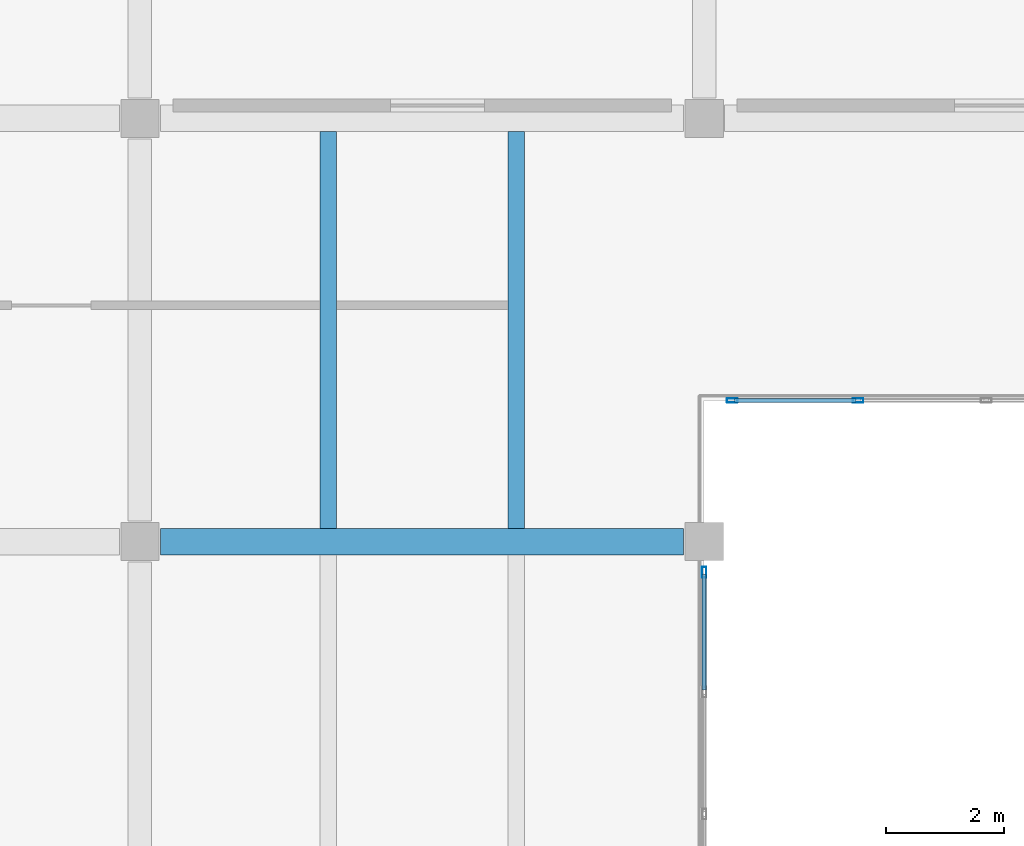
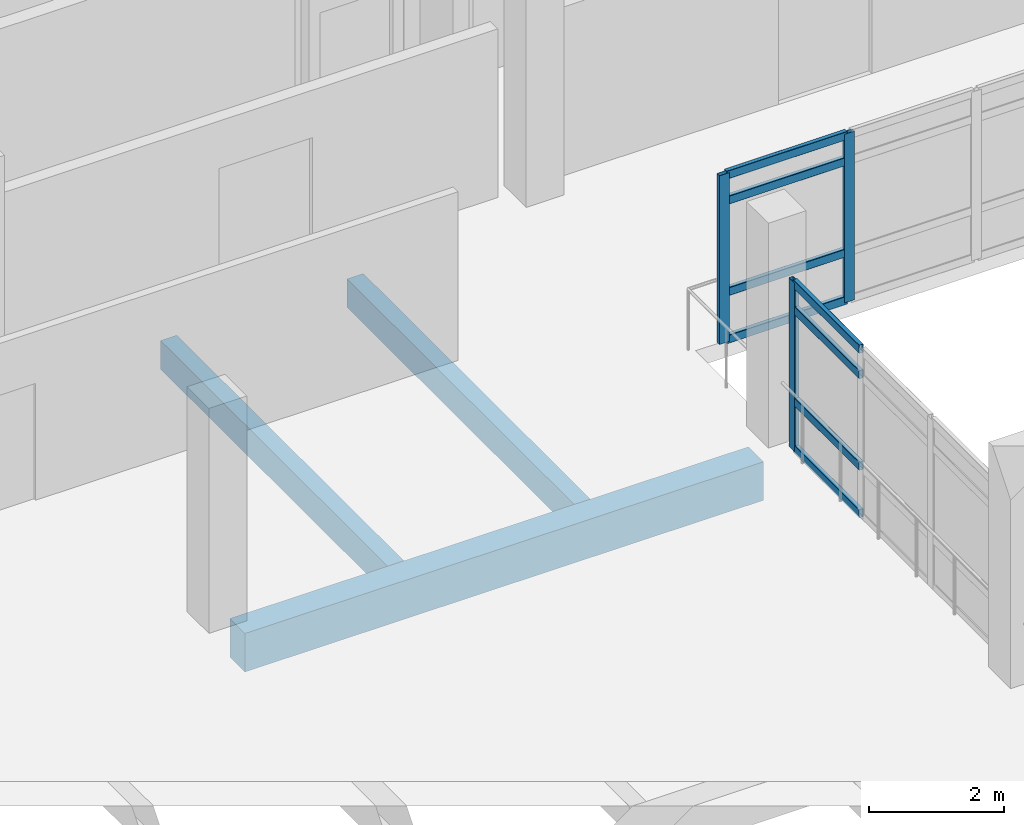
# One storey, part 31 of 134: 11 members, 3 beams, 2 elements without a shape of their own.
"""IFC4 building model written with IfcOpenShell, lengths in metres."""

from ifc_helpers import new_model, si_unit, direction, frame, origin, origin_2d, place, context, subcontext, project, spatial, rectangle, hollow_rectangle, extrude, material, layer, layer_set, material_profile, profile_set, type_object, element, aggregate, save


model = new_model("IFC4")

# Units and contexts
model_context = context("Model", 3, precision=1e-05, world=origin(), true_north=direction((0.0, 1.0)))
body_context = subcontext(model_context, "Body", "Model", "MODEL_VIEW")
ifc_project = project(units=[si_unit("LENGTHUNIT", "METRE"), si_unit("AREAUNIT", "SQUARE_METRE"), si_unit("VOLUMEUNIT", "CUBIC_METRE"), si_unit("PLANEANGLEUNIT", "RADIAN"), si_unit("MASSUNIT", "GRAM", prefix="KILO")], contexts=[model_context])

# Site, building, storey
site_placement = place(None, origin())
site = spatial("IfcSite", under=ifc_project, at=site_placement, CompositionType="ELEMENT")
building_placement = place(site_placement, origin())
building = spatial("IfcBuilding", under=site, at=building_placement, Name="Asteropetra Specialist Clinic", CompositionType="ELEMENT")
storey_placement = place(building_placement, frame((0.0, 0.0, 8.5)))
storey = spatial("IfcBuildingStorey", under=building, at=storey_placement, Name="L02", CompositionType="ELEMENT", Elevation=8.5)

# Beam
ifc_material_1 = material(Name="Concrete C35/45", Category="concrete")
ifc_material_profile_1 = material_profile(ifc_material_1, rectangle(XDim=0.449951171875, YDim=0.699951171875, at=origin_2d()), Name="RCB 450x700")
ifc_profile_set_1 = profile_set([ifc_material_profile_1], Name="Concrete C35/45")
beam_type_1 = type_object("IfcBeamType", Name="BM-RC450x700", PredefinedType="BEAM", material=ifc_profile_set_1)
beam_placement = place(storey_placement, frame((115.550048828125, 33.60009765625, -0.64990234375), z_axis=(1.0, 0.0, 0.0), x_axis=(0.0, 1.0, 0.0)))
element("IfcBeam", 1, at=beam_placement, inside=storey, type_object=beam_type_1, Name="Beam BBM05-1141", PredefinedType="BEAM", context=body_context, shape_type="SweptSolid", body=[
    extrude(rectangle(XDim=0.449951171875, YDim=0.699951171875, at=origin_2d()), origin(), (0.0, 0.0, 1.0), 8.89990234375),
])

# Curtain wall, members
ifc_material_2 = material(Name="Aluminium and low-E glass", Category="aluminium")
ifc_layer_1 = layer(ifc_material_2, 0.135009765625)
ifc_layer_set_1 = layer_set([ifc_layer_1], Name="Aluminium and low-E glass")
curtain_wall_type_1 = type_object("IfcCurtainWallType", Name="CW-SYS-09", PredefinedType="USERDEFINED", material=ifc_layer_set_1)
curtain_wall_1_placement = place(storey_placement, origin())
curtain_wall_1 = element("IfcCurtainWall", 2, at=curtain_wall_1_placement, inside=storey, type_object=curtain_wall_type_1, Name="Curtain Wall CW-078", ObjectType="STICK GLAZED COLONNADE", PredefinedType="USERDEFINED")
ifc_material_3 = material(Name="Aluminium 6063-T6", Category="aluminium")
ifc_material_profile_2 = material_profile(ifc_material_3, hollow_rectangle(XDim=0.074951171875, YDim=0.179931640625, WallThickness=0.00390625, InnerFilletRadius=0.00390625, OuterFilletRadius=0.008056640625, at=origin_2d()), Name="MUL 180x75x4.0")
ifc_profile_set_2 = profile_set([ifc_material_profile_2], Name="Aluminium 6063-T6")
member_type_1 = type_object("IfcMemberType", Name="CWM-180x75", PredefinedType="MULLION", material=ifc_profile_set_2)
member_1_placement = place(storey_placement, frame((127.419921875, 36.0, 0.0), z_axis=(0.0, 0.0, 1.0), x_axis=(0.0, -1.0, 0.0)))
member_1 = element("IfcMember", 3, at=member_1_placement, type_object=member_type_1, Name="CW-078 mullion 4", PredefinedType="MULLION", context=body_context, shape_type="SweptSolid", body=[
    extrude(hollow_rectangle(XDim=0.074951171875, YDim=0.179931640625, WallThickness=0.00390625, InnerFilletRadius=0.00390625, OuterFilletRadius=0.008056640625, at=origin_2d()), origin(), (0.0, 0.0, 1.0), 3.06005859375),
])
member_2_placement = place(storey_placement, frame((125.277587890625, 36.0, 0.0), z_axis=(0.0, 0.0, 1.0), x_axis=(0.0, -1.0, 0.0)))
member_2 = element("IfcMember", 4, at=member_2_placement, type_object=member_type_1, Name="CW-078 mullion 5", PredefinedType="MULLION", context=body_context, shape_type="SweptSolid", body=[
    extrude(hollow_rectangle(XDim=0.074951171875, YDim=0.179931640625, WallThickness=0.00390625, InnerFilletRadius=0.00390625, OuterFilletRadius=0.008056640625, at=origin_2d()), origin(), (0.0, 0.0, 1.0), 3.06005859375),
])

# Curtain wall, member
ifc_material_4 = material(Name="Aluminium and low-E glass", Category="aluminium")
ifc_layer_2 = layer(ifc_material_4, 0.14990234375)
ifc_layer_set_2 = layer_set([ifc_layer_2], Name="Aluminium and low-E glass")
curtain_wall_type_2 = type_object("IfcCurtainWallType", Name="CW-SYS-11", PredefinedType="USERDEFINED", material=ifc_layer_set_2)
curtain_wall_2_placement = place(storey_placement, origin())
curtain_wall_2 = element("IfcCurtainWall", 5, at=curtain_wall_2_placement, inside=storey, type_object=curtain_wall_type_2, Name="Curtain Wall CW-081", ObjectType="STICK GLAZED COLONNADE", PredefinedType="USERDEFINED")
member_3_placement = place(storey_placement, frame((124.800048828125, 33.077392578125, 0.0), z_axis=(0.0, 0.0, 1.0), x_axis=(1.0, 0.0, 0.0)))
member_3 = element("IfcMember", 6, at=member_3_placement, type_object=member_type_1, Name="CW-081 mullion 1", PredefinedType="MULLION", context=body_context, shape_type="SweptSolid", body=[
    extrude(hollow_rectangle(XDim=0.074951171875, YDim=0.179931640625, WallThickness=0.00390625, InnerFilletRadius=0.00390625, OuterFilletRadius=0.008056640625, at=origin_2d()), origin(), (0.0, 0.0, 1.0), 3.06005859375),
])

# Member
ifc_material_5 = material(Name="Aluminium 6063-T6", Category="aluminium")
ifc_material_profile_3 = material_profile(ifc_material_5, hollow_rectangle(XDim=0.074951171875, YDim=0.14990234375, WallThickness=0.00390625, InnerFilletRadius=0.00390625, OuterFilletRadius=0.008056640625, at=origin_2d()), Name="TRN 150x75x4.0")
ifc_profile_set_3 = profile_set([ifc_material_profile_3], Name="Aluminium 6063-T6")
member_type_2 = type_object("IfcMemberType", Name="CWT-150x75", PredefinedType="USERDEFINED", material=ifc_profile_set_3)
member_4_placement = place(storey_placement, frame((127.382568359375, 36.0, 0.03759765625), z_axis=(-1.0, 0.0, 0.0), x_axis=(0.0, -1.0, 0.0)))
member_4 = element("IfcMember", 7, at=member_4_placement, type_object=member_type_2, Name="CW-078 transom 4.1", ObjectType="TRANSOM", PredefinedType="USERDEFINED", context=body_context, shape_type="SweptSolid", body=[
    extrude(hollow_rectangle(XDim=0.074951171875, YDim=0.14990234375, WallThickness=0.00390625, InnerFilletRadius=0.00390625, OuterFilletRadius=0.008056640625, at=origin_2d()), origin(), (0.0, 0.0, 1.0), 2.067626953125),
])

member_5_placement = place(storey_placement, frame((127.382568359375, 36.0, 0.89990234375), z_axis=(-1.0, 0.0, 0.0), x_axis=(0.0, -1.0, 0.0)))
member_5 = element("IfcMember", 8, at=member_5_placement, type_object=member_type_2, Name="CW-078 transom 4.2", ObjectType="TRANSOM", PredefinedType="USERDEFINED", context=body_context, shape_type="SweptSolid", body=[
    extrude(hollow_rectangle(XDim=0.074951171875, YDim=0.14990234375, WallThickness=0.00390625, InnerFilletRadius=0.00390625, OuterFilletRadius=0.008056640625, at=origin_2d()), origin(), (0.0, 0.0, 1.0), 2.067626953125),
])

member_6_placement = place(storey_placement, frame((127.382568359375, 36.0, 2.56005859375), z_axis=(-1.0, 0.0, 0.0), x_axis=(0.0, -1.0, 0.0)))
member_6 = element("IfcMember", 9, at=member_6_placement, type_object=member_type_2, Name="CW-078 transom 4.3", ObjectType="TRANSOM", PredefinedType="USERDEFINED", context=body_context, shape_type="SweptSolid", body=[
    extrude(hollow_rectangle(XDim=0.074951171875, YDim=0.14990234375, WallThickness=0.00390625, InnerFilletRadius=0.00390625, OuterFilletRadius=0.008056640625, at=origin_2d()), origin(), (0.0, 0.0, 1.0), 2.067626953125),
])

member_7_placement = place(storey_placement, frame((127.382568359375, 36.0, 3.0224609375), z_axis=(-1.0, 0.0, 0.0), x_axis=(0.0, -1.0, 0.0)))
member_7 = element("IfcMember", 10, at=member_7_placement, type_object=member_type_2, Name="CW-078 transom 4.4", ObjectType="TRANSOM", PredefinedType="USERDEFINED", context=body_context, shape_type="SweptSolid", body=[
    extrude(hollow_rectangle(XDim=0.074951171875, YDim=0.14990234375, WallThickness=0.00390625, InnerFilletRadius=0.00390625, OuterFilletRadius=0.008056640625, at=origin_2d()), origin(), (0.0, 0.0, 1.0), 2.067626953125),
])

aggregate(curtain_wall_1, [member_1, member_2, member_4, member_5, member_6, member_7])

member_8_placement = place(storey_placement, frame((124.800048828125, 33.0400390625, 0.03759765625), z_axis=(0.0, -1.0, 0.0), x_axis=(1.0, 0.0, 0.0)))
member_8 = element("IfcMember", 11, at=member_8_placement, type_object=member_type_2, Name="CW-081 transom 1.1", ObjectType="TRANSOM", PredefinedType="USERDEFINED", context=body_context, shape_type="SweptSolid", body=[
    extrude(hollow_rectangle(XDim=0.074951171875, YDim=0.14990234375, WallThickness=0.00390625, InnerFilletRadius=0.00390625, OuterFilletRadius=0.008056640625, at=origin_2d()), origin(), (0.0, 0.0, 1.0), 1.964111328125),
])

member_9_placement = place(storey_placement, frame((124.800048828125, 33.0400390625, 0.89990234375), z_axis=(0.0, -1.0, 0.0), x_axis=(1.0, 0.0, 0.0)))
member_9 = element("IfcMember", 12, at=member_9_placement, type_object=member_type_2, Name="CW-081 transom 1.2", ObjectType="TRANSOM", PredefinedType="USERDEFINED", context=body_context, shape_type="SweptSolid", body=[
    extrude(hollow_rectangle(XDim=0.074951171875, YDim=0.14990234375, WallThickness=0.00390625, InnerFilletRadius=0.00390625, OuterFilletRadius=0.008056640625, at=origin_2d()), origin(), (0.0, 0.0, 1.0), 1.964111328125),
])

member_10_placement = place(storey_placement, frame((124.800048828125, 33.0400390625, 2.56005859375), z_axis=(0.0, -1.0, 0.0), x_axis=(1.0, 0.0, 0.0)))
member_10 = element("IfcMember", 13, at=member_10_placement, type_object=member_type_2, Name="CW-081 transom 1.3", ObjectType="TRANSOM", PredefinedType="USERDEFINED", context=body_context, shape_type="SweptSolid", body=[
    extrude(hollow_rectangle(XDim=0.074951171875, YDim=0.14990234375, WallThickness=0.00390625, InnerFilletRadius=0.00390625, OuterFilletRadius=0.008056640625, at=origin_2d()), origin(), (0.0, 0.0, 1.0), 1.964111328125),
])

member_11_placement = place(storey_placement, frame((124.800048828125, 33.0400390625, 3.0224609375), z_axis=(0.0, -1.0, 0.0), x_axis=(1.0, 0.0, 0.0)))
member_11 = element("IfcMember", 14, at=member_11_placement, type_object=member_type_2, Name="CW-081 transom 1.4", ObjectType="TRANSOM", PredefinedType="USERDEFINED", context=body_context, shape_type="SweptSolid", body=[
    extrude(hollow_rectangle(XDim=0.074951171875, YDim=0.14990234375, WallThickness=0.00390625, InnerFilletRadius=0.00390625, OuterFilletRadius=0.008056640625, at=origin_2d()), origin(), (0.0, 0.0, 1.0), 1.964111328125),
])

aggregate(curtain_wall_2, [member_3, member_8, member_9, member_10, member_11])

# Beams
ifc_material_6 = material(Name="Concrete C35/45", Category="concrete")
ifc_material_profile_4 = material_profile(ifc_material_6, rectangle(XDim=0.280029296875, YDim=0.52001953125, at=origin_2d()), Name="RCJ 280x520")
ifc_profile_set_4 = profile_set([ifc_material_profile_4], Name="Concrete C35/45")
beam_type_2 = type_object("IfcBeamType", Name="JST-RC280x520", PredefinedType="JOIST", material=ifc_profile_set_4)
for number, where, z_axis, x_axis, name in (
    (15, (118.39990234375, 33.824951171875, -0.56005859375), (0.0, 1.0, 0.0), (-1.0, 0.0, 0.0), "Joist JJST01-1223"),
    (16, (121.60009765625, 33.824951171875, -0.56005859375), (0.0, 1.0, 0.0), (-1.0, 0.0, 0.0), "Joist JJST01-1224"),
):
    element("IfcBeam", number, at=place(storey_placement, frame(where, z_axis=z_axis, x_axis=x_axis)), inside=storey, type_object=beam_type_2, Name=name, PredefinedType="JOIST", context=body_context, shape_type="SweptSolid", body=[
        extrude(rectangle(XDim=0.280029296875, YDim=0.52001953125, at=origin_2d()), origin(), (0.0, 0.0, 1.0), 6.75),
    ])

save(model, "model.ifc")
